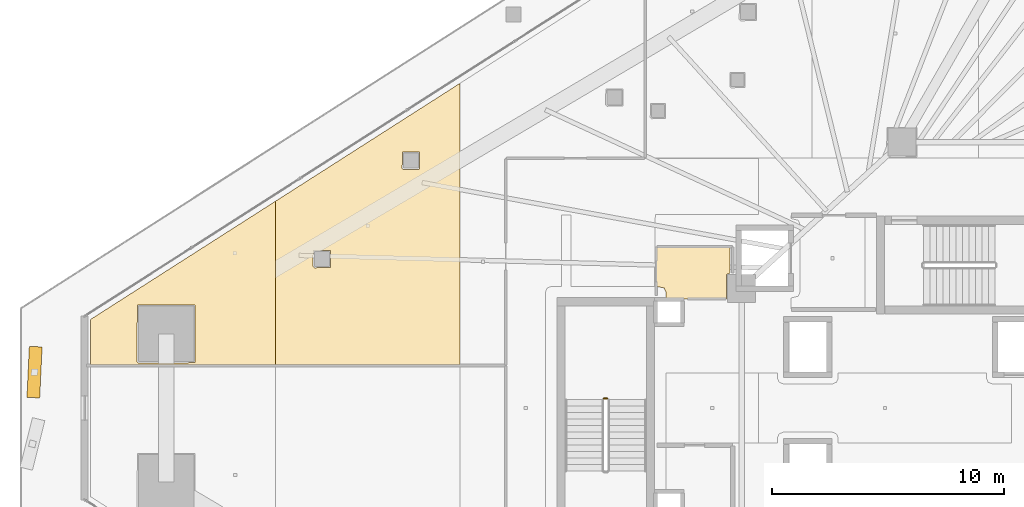
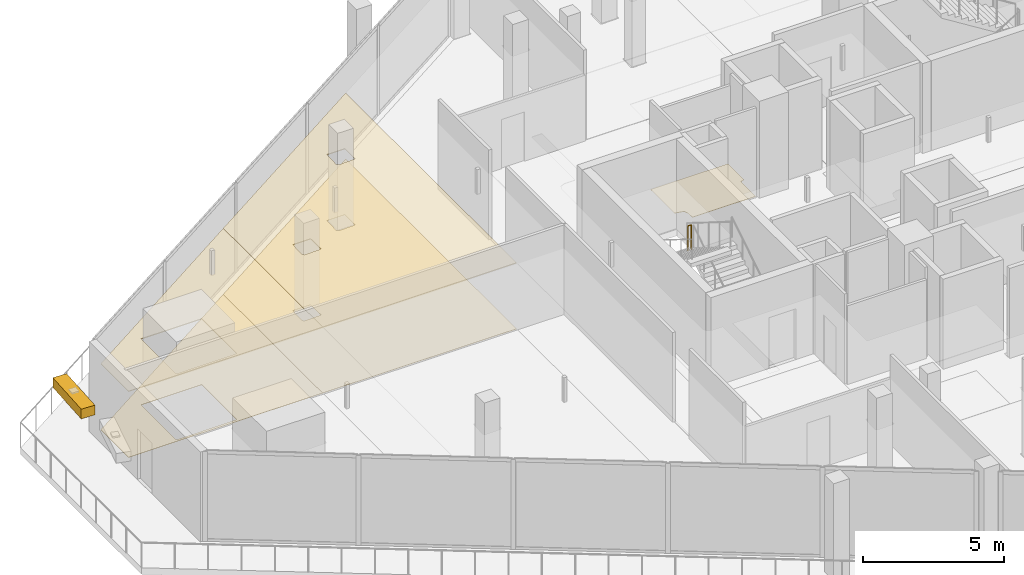
# One storey, part 43 of 45: 5 coverings, 1 railing, 1 shading device.
"""IFC4 building model written with IfcOpenShell, lengths in metres."""

from ifc_helpers import new_model, si_unit, direction, frame, origin, origin_2d, place, context, subcontext, project, spatial, polyline, rectangle, circle, outline, extrude, material, layer, layer_set, type_object, element, save


model = new_model("IFC4")

# Units and contexts
model_context = context("Model", 3, precision=1e-05, world=origin(), true_north=direction((0.0, 1.0)))
body_context = subcontext(model_context, "Body", "Model", "MODEL_VIEW")
ifc_project = project(units=[si_unit("LENGTHUNIT", "METRE"), si_unit("AREAUNIT", "SQUARE_METRE"), si_unit("VOLUMEUNIT", "CUBIC_METRE"), si_unit("PLANEANGLEUNIT", "RADIAN"), si_unit("MASSUNIT", "GRAM", prefix="KILO")], contexts=[model_context])

# Site, building, storey
site_placement = place(None, origin())
site = spatial("IfcSite", under=ifc_project, at=site_placement, CompositionType="ELEMENT")
building_placement = place(site_placement, origin())
building = spatial("IfcBuilding", under=site, at=building_placement, Name="Qorvath Tower", CompositionType="ELEMENT")
storey_placement = place(building_placement, frame((0.0, 0.0, 95.39990234375)))
storey = spatial("IfcBuildingStorey", under=building, at=storey_placement, Name="L21", CompositionType="ELEMENT", Elevation=95.39990234375)

# Coverings
ifc_material_1 = material(Name="Acoustic mineral fibre ceiling tile", Category="gypsum")
ifc_layer_1 = layer(ifc_material_1, 0.030029296875)
ifc_layer_set_1 = layer_set([ifc_layer_1], Name="COV-CEIL")
covering_type_1 = type_object("IfcCoveringType", Name="COV-CEIL", PredefinedType="CEILING", material=ifc_layer_set_1)
covering_1_placement = place(storey_placement, frame((0.0, 0.0, 2.85009765625)))
element("IfcCovering", 1, at=covering_1_placement, inside=storey, type_object=covering_type_1, Name="L21 Suspended Acoustic Ceiling 027", PredefinedType="CEILING", context=body_context, shape_type="SweptSolid", body=[
    extrude(outline(polyline([(-50.579833984375, 1.843505859375), (-50.579833984375, 8.904541015625), (-58.5380859375, 3.818115234375), (-58.5380859375, 1.843505859375), (-50.579833984375, 1.843505859375)]), holes=[polyline([(-56.54296875, 1.994384765625), (-56.525390625, 4.43701171875), (-54.04052734375, 4.43701171875), (-54.04052734375, 1.9521484375), (-56.48291015625, 1.9345703125), (-56.54296875, 1.994384765625)])]), origin(), (0.0, 0.0, 1.0), 0.030029296875),
])
covering_2_placement = place(storey_placement, frame((0.0, 0.0, 2.85009765625)))
element("IfcCovering", 2, at=covering_2_placement, inside=storey, type_object=covering_type_1, Name="L21 Suspended Acoustic Ceiling 028", PredefinedType="CEILING", context=body_context, shape_type="SweptSolid", body=[
    extrude(outline(polyline([(-42.621337890625, 1.843505859375), (-42.621337890625, 13.990966796875), (-50.579833984375, 8.904541015625), (-50.579833984375, 1.843505859375), (-42.621337890625, 1.843505859375)]), holes=[polyline([(-45.121337890625, 10.327392578125), (-45.103759765625, 11.019775390625), (-44.368896484375, 11.019775390625), (-44.368896484375, 10.284912109375), (-45.061279296875, 10.267333984375), (-45.121337890625, 10.327392578125)]), polyline([(-48.96337890625, 6.099609375), (-48.94580078125, 6.7919921875), (-48.2109375, 6.7919921875), (-48.2109375, 6.05712890625), (-48.9033203125, 6.03955078125), (-48.96337890625, 6.099609375)])]), origin(), (0.0, 0.0, 1.0), 0.030029296875),
])
ifc_material_2 = material(Name="Low-VOC modular carpet tile", Category="textile")
ifc_layer_2 = layer(ifc_material_2, 0.014892578125)
ifc_layer_set_2 = layer_set([ifc_layer_2], Name="COV-FLOOR-CPT")
covering_type_2 = type_object("IfcCoveringType", Name="COV-FLOOR-CPT", PredefinedType="FLOORING", material=ifc_layer_set_2)
covering_3_placement = place(storey_placement, origin())
element("IfcCovering", 3, at=covering_3_placement, inside=storey, type_object=covering_type_2, Name="L21 Floor Finish 027", PredefinedType="FLOORING", context=body_context, shape_type="SweptSolid", body=[
    extrude(outline(polyline([(-50.579833984375, 1.843505859375), (-50.579833984375, 8.904541015625), (-58.5380859375, 3.818115234375), (-58.5380859375, 1.843505859375), (-50.579833984375, 1.843505859375)]), holes=[polyline([(-56.54296875, 1.994384765625), (-56.525390625, 4.43701171875), (-54.04052734375, 4.43701171875), (-54.04052734375, 1.9521484375), (-56.48291015625, 1.9345703125), (-56.54296875, 1.994384765625)])]), origin(), (0.0, 0.0, 1.0), 0.01513671875),
])
covering_4_placement = place(storey_placement, origin())
element("IfcCovering", 4, at=covering_4_placement, inside=storey, type_object=covering_type_2, Name="L21 Floor Finish 028", PredefinedType="FLOORING", context=body_context, shape_type="SweptSolid", body=[
    extrude(outline(polyline([(-42.621337890625, 1.843505859375), (-42.621337890625, 13.990966796875), (-50.579833984375, 8.904541015625), (-50.579833984375, 1.843505859375), (-42.621337890625, 1.843505859375)]), holes=[polyline([(-45.121337890625, 10.327392578125), (-45.103759765625, 11.019775390625), (-44.368896484375, 11.019775390625), (-44.368896484375, 10.284912109375), (-45.061279296875, 10.267333984375), (-45.121337890625, 10.327392578125)]), polyline([(-48.96337890625, 6.099609375), (-48.94580078125, 6.7919921875), (-48.2109375, 6.7919921875), (-48.2109375, 6.05712890625), (-48.9033203125, 6.03955078125), (-48.96337890625, 6.099609375)])]), origin(), (0.0, 0.0, 1.0), 0.01513671875),
])
ifc_material_3 = material(Name="Polished epoxy terrazzo flooring", Category="concrete")
ifc_layer_3 = layer(ifc_material_3, 0.02001953125)
ifc_layer_set_3 = layer_set([ifc_layer_3], Name="COV-FLOOR-TRZ")
covering_type_3 = type_object("IfcCoveringType", Name="COV-FLOOR-TRZ", PredefinedType="FLOORING", material=ifc_layer_set_3)
covering_5_placement = place(storey_placement, origin())
element("IfcCovering", 5, at=covering_5_placement, inside=storey, type_object=covering_type_3, Name="L21 Floor Finish 003", PredefinedType="FLOORING", context=body_context, shape_type="SweptSolid", body=[
    extrude(outline(polyline([(-31.010009765625, 6.945068359375), (-34.175048828125, 6.945068359375), (-34.175048828125, 5.239990234375), (-33.833251953125, 5.166748046875), (-33.760009765625, 4.989990234375), (-33.760009765625, 4.705078125), (-31.159912109375, 4.705078125), (-31.159912109375, 5.75), (-31.010009765625, 5.81005859375), (-31.010009765625, 6.945068359375)])), origin(), (0.0, 0.0, 1.0), 0.01513671875),
])

# Railing
ifc_material_4 = material(Name="Painted galvanised steel", Category="steel")
railing_type = type_object("IfcRailingType", Name="RL-STR-GRD", PredefinedType="GUARDRAIL", material=ifc_material_4)
railing_placement = place(storey_placement, frame((-36.280029296875, 0.409912109375, 2.10009765625)))
element("IfcRailing", 6, at=railing_placement, inside=storey, type_object=railing_type, Name="L21 TS3 stair guard 2", PredefinedType="GUARDRAIL", context=body_context, shape_type="SweptSolid", body=[
    extrude(circle(Radius=0.02392578125, at=origin_2d()), frame((0.0, 0.0, 1.076171875), z_axis=(-1.0, 0.0, 0.0), x_axis=(0.0, -1.0, 0.0)), (0.0, 0.0, 1.0), 0.14990234375),
    extrude(circle(Radius=0.02099609375, at=origin_2d()), origin(), (0.0, 0.0, 1.0), 1.052001953125),
    extrude(circle(Radius=0.02099609375, at=origin_2d()), frame((-0.14990234375, 0.0, 0.0)), (0.0, 0.0, 1.0), 1.052001953125),
])

# Shading device
ifc_material_5 = material(Name="Anodised bronze-champagne aluminium", Category="aluminium")
shading_device_type = type_object("IfcShadingDeviceType", Name="SD-LOUVRE", PredefinedType="JALOUSIE", material=ifc_material_5)
shading_device_placement = place(storey_placement, frame((-60.955078125, 1.544921875, 3.480224609375), z_axis=(0.0, 0.0, 1.0), x_axis=(-0.046696749705, -0.998909111765, 0.0)))
element("IfcShadingDevice", 7, at=shading_device_placement, inside=storey, type_object=shading_device_type, Name="Sinusoidal Wave Louvre Blade L21-01", PredefinedType="NOTDEFINED", context=body_context, shape_type="SweptSolid", body=[
    extrude(rectangle(XDim=2.199951171875, YDim=0.550048828125, at=origin_2d()), origin(), (0.0, 0.0, 1.0), 0.419921875),
])

save(model, "model.ifc")
